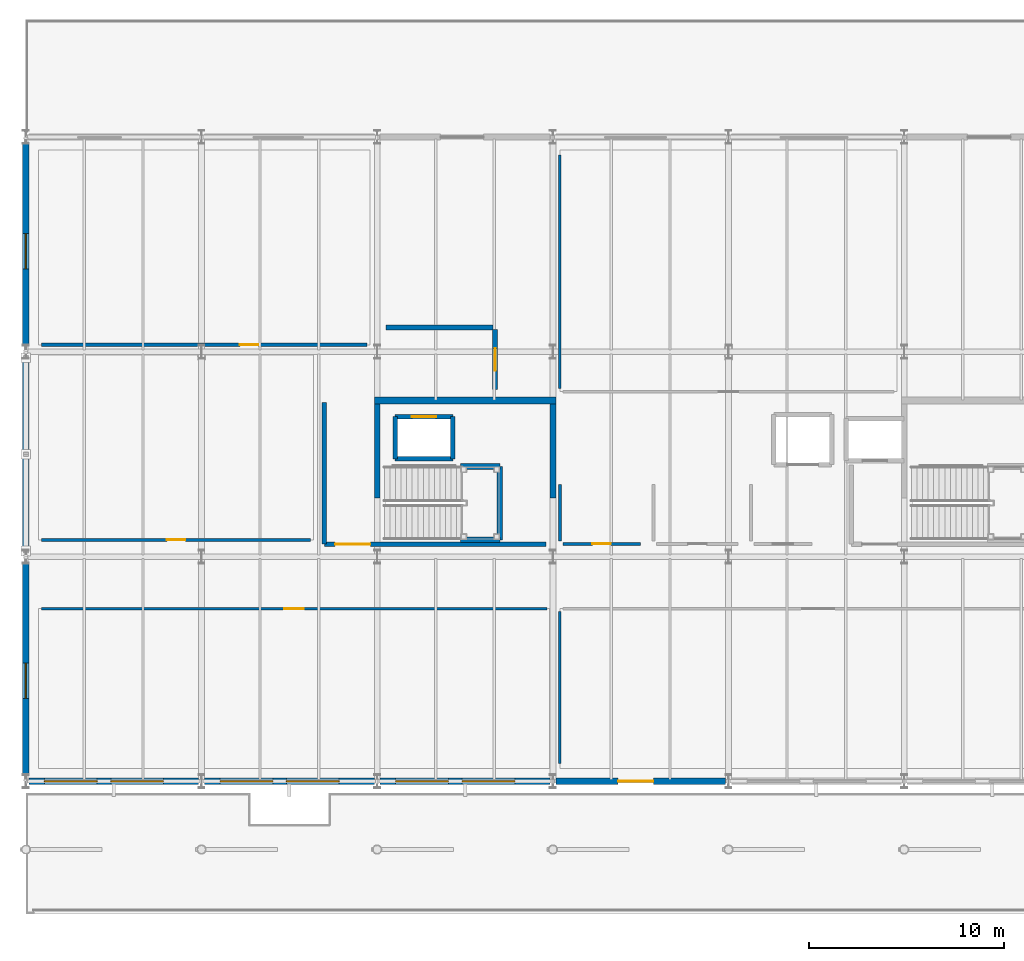
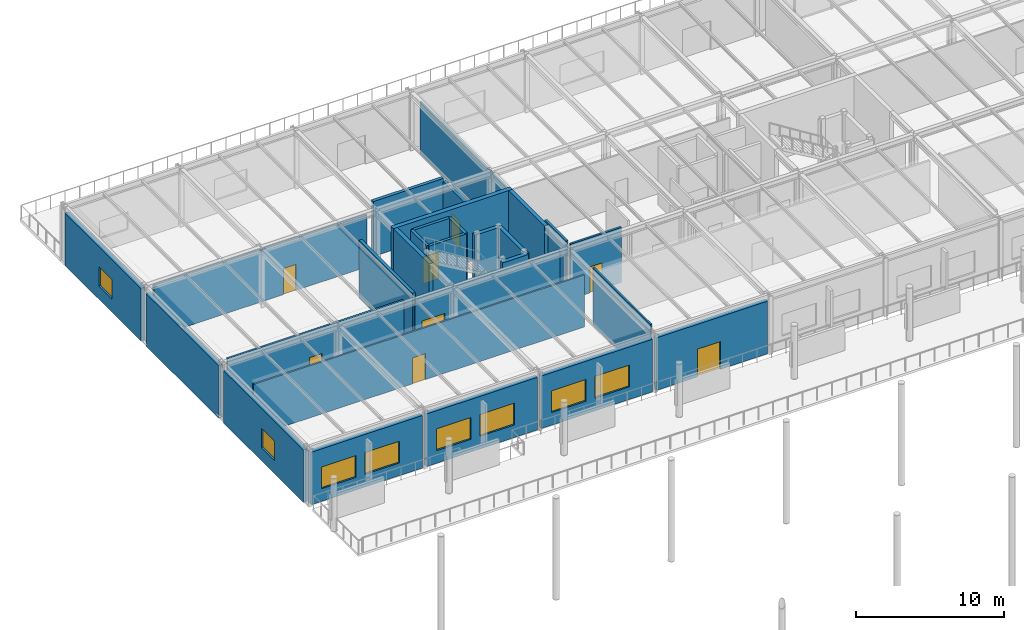
# One storey, part 84 of 143: 28 walls, 8 doors, 8 windows, 16 openings.
"""IFC4 building model written with IfcOpenShell, lengths in metres."""

from ifc_helpers import new_model, si_unit, direction, frame, frame_2d, origin, place, context, subcontext, project, spatial, rectangle, extrude, material, layer, layer_set, type_object, element, fill, save


model = new_model("IFC4")

# Units and contexts
model_context = context("Model", 3, precision=1e-05, world=origin(), true_north=direction((0.0, 1.0)))
body_context = subcontext(model_context, "Body", "Model", "MODEL_VIEW")
ifc_project = project(units=[si_unit("LENGTHUNIT", "METRE"), si_unit("AREAUNIT", "SQUARE_METRE"), si_unit("VOLUMEUNIT", "CUBIC_METRE"), si_unit("PLANEANGLEUNIT", "RADIAN"), si_unit("MASSUNIT", "GRAM", prefix="KILO")], contexts=[model_context])

# Site, building, storey
site_placement = place(None, origin())
site = spatial("IfcSite", under=ifc_project, at=site_placement, CompositionType="ELEMENT")
building_placement = place(site_placement, origin())
building = spatial("IfcBuilding", under=site, at=building_placement, Name="Marlcrest Central Station", CompositionType="ELEMENT")
storey_placement = place(building_placement, frame((0.0, 0.0, 4.800048828125)))
storey = spatial("IfcBuildingStorey", under=building, at=storey_placement, Name="L01", CompositionType="ELEMENT", Elevation=4.800048828125)

# Wall, openings, windows
ifc_material_1 = material(Name="Concrete C40/50", Category="concrete")
ifc_layer_1 = layer(ifc_material_1, 0.320068359375, Name="EW-01")
ifc_layer_set_1 = layer_set([ifc_layer_1], Name="Concrete C40/50")
wall_type_1 = type_object("IfcWallType", Name="EW-01", PredefinedType="SOLIDWALL", material=ifc_layer_set_1)
wall_1_placement = place(storey_placement, frame((8.85009765625, 99.0, 0.0), z_axis=(0.0, 0.0, 1.0), x_axis=(-1.0, 0.0, 0.0)))
wall_1 = element("IfcWall", 1, at=wall_1_placement, inside=storey, type_object=wall_type_1, Name="ewall-L01-0111", PredefinedType="SOLIDWALL", context=body_context, shape_type="SweptSolid", body=[
    extrude(rectangle(XDim=8.7001953125, YDim=0.320068359375, at=frame_2d((4.35009765625, 0.0))), origin(), (0.0, 0.0, 1.0), 4.349853515625),
])
opening_1_placement = place(wall_1_placement, frame((1.800048828125, 0.0, 1.050048828125)))
opening_1 = element("IfcOpeningElement", 2, at=opening_1_placement, cuts=wall_1, Name="Opening WN-06", PredefinedType="OPENING", context=body_context, shape_type="SweptSolid", body=[
    extrude(rectangle(XDim=2.699951171875, YDim=1.800048828125, at=frame_2d((1.35009765625, 0.89990234375))), frame((0.0, 0.169921875, 0.0), z_axis=(0.0, -1.0, 0.0), x_axis=(1.0, 0.0, 0.0)), (0.0, 0.0, 1.0), 0.340087890625),
])
opening_2_placement = place(wall_1_placement, frame((5.199951171875, 0.0, 1.050048828125)))
opening_2 = element("IfcOpeningElement", 3, at=opening_2_placement, cuts=wall_1, Name="Opening WN-06", PredefinedType="OPENING", context=body_context, shape_type="SweptSolid", body=[
    extrude(rectangle(XDim=2.699951171875, YDim=1.800048828125, at=frame_2d((1.35009765625, 0.89990234375))), frame((0.0, 0.169921875, 0.0), z_axis=(0.0, -1.0, 0.0), x_axis=(1.0, 0.0, 0.0)), (0.0, 0.0, 1.0), 0.340087890625),
])
ifc_material_2 = material(Name="Thermally broken bronze-anodised aluminium and laminated low-E glass", Category="aluminium")
window_type_1 = type_object("IfcWindowType", Name="WN-06", PartitioningType="SINGLE_PANEL", PredefinedType="WINDOW", material=ifc_material_2)
window_1_placement = place(opening_1_placement, origin())
window_1 = element("IfcWindow", 4, at=window_1_placement, inside=storey, type_object=window_type_1, Name="ewin-L01-0060", OverallHeight=1.800048828125, OverallWidth=2.699951171875, PartitioningType="SINGLE_PANEL", PredefinedType="WINDOW", context=body_context, shape_type="SweptSolid", body=[
    extrude(rectangle(XDim=2.699951171875, YDim=1.800048828125, at=frame_2d((1.35009765625, 0.89990234375))), frame((0.0, 0.030029296875, 0.0), z_axis=(0.0, -1.0, 0.0), x_axis=(1.0, 0.0, 0.0)), (0.0, 0.0, 1.0), 0.06005859375),
])
fill(opening_1, window_1)
window_2_placement = place(opening_2_placement, origin())
window_2 = element("IfcWindow", 5, at=window_2_placement, inside=storey, type_object=window_type_1, Name="ewin-L01-0061", OverallHeight=1.800048828125, OverallWidth=2.699951171875, PartitioningType="SINGLE_PANEL", PredefinedType="WINDOW", context=body_context, shape_type="SweptSolid", body=[
    extrude(rectangle(XDim=2.699951171875, YDim=1.800048828125, at=frame_2d((1.35009765625, 0.89990234375))), frame((0.0, 0.030029296875, 0.0), z_axis=(0.0, -1.0, 0.0), x_axis=(1.0, 0.0, 0.0)), (0.0, 0.0, 1.0), 0.06005859375),
])
fill(opening_2, window_2)

wall_2_placement = place(storey_placement, frame((17.85009765625, 99.0, 0.0), z_axis=(0.0, 0.0, 1.0), x_axis=(-1.0, 0.0, 0.0)))
wall_2 = element("IfcWall", 6, at=wall_2_placement, inside=storey, type_object=wall_type_1, Name="ewall-L01-0113", PredefinedType="SOLIDWALL", context=body_context, shape_type="SweptSolid", body=[
    extrude(rectangle(XDim=8.7001953125, YDim=0.320068359375, at=frame_2d((4.35009765625, 0.0))), origin(), (0.0, 0.0, 1.0), 4.349853515625),
])
opening_3_placement = place(wall_2_placement, frame((1.800048828125, 0.0, 1.050048828125)))
opening_3 = element("IfcOpeningElement", 7, at=opening_3_placement, cuts=wall_2, Name="Opening WN-06", PredefinedType="OPENING", context=body_context, shape_type="SweptSolid", body=[
    extrude(rectangle(XDim=2.699951171875, YDim=1.800048828125, at=frame_2d((1.35009765625, 0.89990234375))), frame((0.0, 0.169921875, 0.0), z_axis=(0.0, -1.0, 0.0), x_axis=(1.0, 0.0, 0.0)), (0.0, 0.0, 1.0), 0.340087890625),
])
opening_4_placement = place(wall_2_placement, frame((5.199951171875, 0.0, 1.050048828125)))
opening_4 = element("IfcOpeningElement", 8, at=opening_4_placement, cuts=wall_2, Name="Opening WN-06", PredefinedType="OPENING", context=body_context, shape_type="SweptSolid", body=[
    extrude(rectangle(XDim=2.699951171875, YDim=1.800048828125, at=frame_2d((1.35009765625, 0.89990234375))), frame((0.0, 0.169921875, 0.0), z_axis=(0.0, -1.0, 0.0), x_axis=(1.0, 0.0, 0.0)), (0.0, 0.0, 1.0), 0.340087890625),
])
window_3_placement = place(opening_3_placement, origin())
window_3 = element("IfcWindow", 9, at=window_3_placement, inside=storey, type_object=window_type_1, Name="ewin-L01-0063", OverallHeight=1.800048828125, OverallWidth=2.699951171875, PartitioningType="SINGLE_PANEL", PredefinedType="WINDOW", context=body_context, shape_type="SweptSolid", body=[
    extrude(rectangle(XDim=2.699951171875, YDim=1.800048828125, at=frame_2d((1.35009765625, 0.89990234375))), frame((0.0, 0.030029296875, 0.0), z_axis=(0.0, -1.0, 0.0), x_axis=(1.0, 0.0, 0.0)), (0.0, 0.0, 1.0), 0.06005859375),
])
fill(opening_3, window_3)
window_4_placement = place(opening_4_placement, origin())
window_4 = element("IfcWindow", 10, at=window_4_placement, inside=storey, type_object=window_type_1, Name="ewin-L01-0064", OverallHeight=1.800048828125, OverallWidth=2.699951171875, PartitioningType="SINGLE_PANEL", PredefinedType="WINDOW", context=body_context, shape_type="SweptSolid", body=[
    extrude(rectangle(XDim=2.699951171875, YDim=1.800048828125, at=frame_2d((1.35009765625, 0.89990234375))), frame((0.0, 0.030029296875, 0.0), z_axis=(0.0, -1.0, 0.0), x_axis=(1.0, 0.0, 0.0)), (0.0, 0.0, 1.0), 0.06005859375),
])
fill(opening_4, window_4)

wall_3_placement = place(storey_placement, frame((26.85009765625, 99.0, 0.0), z_axis=(0.0, 0.0, 1.0), x_axis=(-1.0, 0.0, 0.0)))
wall_3 = element("IfcWall", 11, at=wall_3_placement, inside=storey, type_object=wall_type_1, Name="ewall-L01-0115", PredefinedType="SOLIDWALL", context=body_context, shape_type="SweptSolid", body=[
    extrude(rectangle(XDim=8.7001953125, YDim=0.320068359375, at=frame_2d((4.35009765625, 0.0))), origin(), (0.0, 0.0, 1.0), 4.349853515625),
])
opening_5_placement = place(wall_3_placement, frame((1.800048828125, 0.0, 1.050048828125)))
opening_5 = element("IfcOpeningElement", 12, at=opening_5_placement, cuts=wall_3, Name="Opening WN-06", PredefinedType="OPENING", context=body_context, shape_type="SweptSolid", body=[
    extrude(rectangle(XDim=2.699951171875, YDim=1.800048828125, at=frame_2d((1.35009765625, 0.89990234375))), frame((0.0, 0.169921875, 0.0), z_axis=(0.0, -1.0, 0.0), x_axis=(1.0, 0.0, 0.0)), (0.0, 0.0, 1.0), 0.340087890625),
])
opening_6_placement = place(wall_3_placement, frame((5.199951171875, 0.0, 1.050048828125)))
opening_6 = element("IfcOpeningElement", 13, at=opening_6_placement, cuts=wall_3, Name="Opening WN-06", PredefinedType="OPENING", context=body_context, shape_type="SweptSolid", body=[
    extrude(rectangle(XDim=2.699951171875, YDim=1.800048828125, at=frame_2d((1.35009765625, 0.89990234375))), frame((0.0, 0.169921875, 0.0), z_axis=(0.0, -1.0, 0.0), x_axis=(1.0, 0.0, 0.0)), (0.0, 0.0, 1.0), 0.340087890625),
])
window_5_placement = place(opening_5_placement, origin())
window_5 = element("IfcWindow", 14, at=window_5_placement, inside=storey, type_object=window_type_1, Name="ewin-L01-0066", OverallHeight=1.800048828125, OverallWidth=2.699951171875, PartitioningType="SINGLE_PANEL", PredefinedType="WINDOW", context=body_context, shape_type="SweptSolid", body=[
    extrude(rectangle(XDim=2.699951171875, YDim=1.800048828125, at=frame_2d((1.35009765625, 0.89990234375))), frame((0.0, 0.030029296875, 0.0), z_axis=(0.0, -1.0, 0.0), x_axis=(1.0, 0.0, 0.0)), (0.0, 0.0, 1.0), 0.06005859375),
])
fill(opening_5, window_5)
window_6_placement = place(opening_6_placement, origin())
window_6 = element("IfcWindow", 15, at=window_6_placement, inside=storey, type_object=window_type_1, Name="ewin-L01-0067", OverallHeight=1.800048828125, OverallWidth=2.699951171875, PartitioningType="SINGLE_PANEL", PredefinedType="WINDOW", context=body_context, shape_type="SweptSolid", body=[
    extrude(rectangle(XDim=2.699951171875, YDim=1.800048828125, at=frame_2d((1.35009765625, 0.89990234375))), frame((0.0, 0.030029296875, 0.0), z_axis=(0.0, -1.0, 0.0), x_axis=(1.0, 0.0, 0.0)), (0.0, 0.0, 1.0), 0.06005859375),
])
fill(opening_6, window_6)

# Wall, opening, door
wall_4_placement = place(storey_placement, frame((35.85009765625, 99.0, 0.0), z_axis=(0.0, 0.0, 1.0), x_axis=(-1.0, 0.0, 0.0)))
wall_4 = element("IfcWall", 16, at=wall_4_placement, inside=storey, type_object=wall_type_1, Name="ewall-L01-0117", PredefinedType="SOLIDWALL", context=body_context, shape_type="SweptSolid", body=[
    extrude(rectangle(XDim=8.7001953125, YDim=0.320068359375, at=frame_2d((4.35009765625, 0.0))), origin(), (0.0, 0.0, 1.0), 4.349853515625),
])
opening_7_placement = place(wall_4_placement, frame((3.699951171875, 0.0, 0.0)))
opening_7 = element("IfcOpeningElement", 17, at=opening_7_placement, cuts=wall_4, Name="Opening ED-03", PredefinedType="OPENING", context=body_context, shape_type="SweptSolid", body=[
    extrude(rectangle(XDim=1.800048828125, YDim=2.300048828125, at=frame_2d((0.89990234375, 1.14990234375))), frame((0.0, 0.169921875, 0.0), z_axis=(0.0, -1.0, 0.0), x_axis=(1.0, 0.0, 0.0)), (0.0, 0.0, 1.0), 0.340087890625),
])
ifc_material_3 = material(Name="Thermally broken anodised aluminium and laminated safety glass", Category="aluminium")
door_type_1 = type_object("IfcDoorType", Name="ED-03", OperationType="DOUBLE_DOOR_SINGLE_SWING", PredefinedType="DOOR", material=ifc_material_3)
door_1_placement = place(opening_7_placement, origin())
door_1 = element("IfcDoor", 18, at=door_1_placement, inside=storey, type_object=door_type_1, Name="North-West Gallery Link Door 041", OperationType="DOUBLE_DOOR_SINGLE_SWING", OverallHeight=2.300048828125, OverallWidth=1.800048828125, PredefinedType="DOOR", context=body_context, shape_type="SweptSolid", body=[
    extrude(rectangle(XDim=1.800048828125, YDim=2.300048828125, at=frame_2d((0.89990234375, 1.14990234375))), frame((0.0, 0.02490234375, 0.0), z_axis=(0.0, -1.0, 0.0), x_axis=(1.0, 0.0, 0.0)), (0.0, 0.0, 1.0), 0.050048828125),
])
fill(opening_7, door_1)

# Wall, opening, window
wall_5_placement = place(storey_placement, frame((0.0, 99.35009765625, 0.0), z_axis=(0.0, 0.0, 1.0), x_axis=(0.0, 1.0, 0.0)))
wall_5 = element("IfcWall", 19, at=wall_5_placement, inside=storey, type_object=wall_type_1, Name="ewall-L01-0126", PredefinedType="SOLIDWALL", context=body_context, shape_type="SweptSolid", body=[
    extrude(rectangle(XDim=10.7998046875, YDim=0.320068359375, at=frame_2d((5.39990234375, 0.0))), origin(), (0.0, 0.0, 1.0), 4.349853515625),
])
opening_8_placement = place(wall_5_placement, frame((3.89990234375, 0.0, 1.10009765625)))
opening_8 = element("IfcOpeningElement", 20, at=opening_8_placement, cuts=wall_5, Name="Opening WN-01", PredefinedType="OPENING", context=body_context, shape_type="SweptSolid", body=[
    extrude(rectangle(XDim=1.800048828125, YDim=1.60009765625, at=frame_2d((0.89990234375, 0.800048828125))), frame((0.0, 0.169921875, 0.0), z_axis=(0.0, -1.0, 0.0), x_axis=(1.0, 0.0, 0.0)), (0.0, 0.0, 1.0), 0.340087890625),
])
window_type_2 = type_object("IfcWindowType", Name="WN-01", PartitioningType="SINGLE_PANEL", PredefinedType="WINDOW", material=ifc_material_2)
window_7_placement = place(opening_8_placement, origin())
window_7 = element("IfcWindow", 21, at=window_7_placement, inside=storey, type_object=window_type_2, Name="ewin-L01-0080", OverallHeight=1.60009765625, OverallWidth=1.800048828125, PartitioningType="SINGLE_PANEL", PredefinedType="WINDOW", context=body_context, shape_type="SweptSolid", body=[
    extrude(rectangle(XDim=1.800048828125, YDim=1.60009765625, at=frame_2d((0.89990234375, 0.800048828125))), frame((0.0, 0.030029296875, 0.0), z_axis=(0.0, -1.0, 0.0), x_axis=(1.0, 0.0, 0.0)), (0.0, 0.0, 1.0), 0.06005859375),
])
fill(opening_8, window_7)

# Wall
wall_6_placement = place(storey_placement, frame((0.0, 110.85009765625, 0.0), z_axis=(0.0, 0.0, 1.0), x_axis=(0.0, 1.0, 0.0)))
element("IfcWall", 22, at=wall_6_placement, inside=storey, type_object=wall_type_1, Name="ewall-L01-0127", PredefinedType="SOLIDWALL", context=body_context, shape_type="SweptSolid", body=[
    extrude(rectangle(XDim=9.7998046875, YDim=0.320068359375, at=frame_2d((4.89990234375, 0.0))), origin(), (0.0, 0.0, 1.0), 4.349853515625),
])

# Wall, opening, window
wall_7_placement = place(storey_placement, frame((0.0, 121.35009765625, 0.0), z_axis=(0.0, 0.0, 1.0), x_axis=(0.0, 1.0, 0.0)))
wall_7 = element("IfcWall", 23, at=wall_7_placement, inside=storey, type_object=wall_type_1, Name="ewall-L01-0128", PredefinedType="SOLIDWALL", context=body_context, shape_type="SweptSolid", body=[
    extrude(rectangle(XDim=10.2998046875, YDim=0.320068359375, at=frame_2d((5.14990234375, 0.0))), origin(), (0.0, 0.0, 1.0), 4.349853515625),
])
opening_9_placement = place(wall_7_placement, frame((3.89990234375, 0.0, 1.10009765625)))
opening_9 = element("IfcOpeningElement", 24, at=opening_9_placement, cuts=wall_7, Name="Opening WN-01", PredefinedType="OPENING", context=body_context, shape_type="SweptSolid", body=[
    extrude(rectangle(XDim=1.800048828125, YDim=1.60009765625, at=frame_2d((0.89990234375, 0.800048828125))), frame((0.0, 0.169921875, 0.0), z_axis=(0.0, -1.0, 0.0), x_axis=(1.0, 0.0, 0.0)), (0.0, 0.0, 1.0), 0.340087890625),
])
window_8_placement = place(opening_9_placement, origin())
window_8 = element("IfcWindow", 25, at=window_8_placement, inside=storey, type_object=window_type_2, Name="ewin-L01-0081", OverallHeight=1.60009765625, OverallWidth=1.800048828125, PartitioningType="SINGLE_PANEL", PredefinedType="WINDOW", context=body_context, shape_type="SweptSolid", body=[
    extrude(rectangle(XDim=1.800048828125, YDim=1.60009765625, at=frame_2d((0.89990234375, 0.800048828125))), frame((0.0, 0.030029296875, 0.0), z_axis=(0.0, -1.0, 0.0), x_axis=(1.0, 0.0, 0.0)), (0.0, 0.0, 1.0), 0.06005859375),
])
fill(opening_9, window_8)

# Wall, opening, door
ifc_material_4 = material(Name="Acoustic steel-stud gypsum board partition", Category="steel")
ifc_layer_2 = layer(ifc_material_4, 0.1201171875, Name="PT-01")
ifc_layer_set_2 = layer_set([ifc_layer_2], Name="Acoustic steel-stud gypsum board partition")
wall_type_2 = type_object("IfcWallType", Name="PT-01", PredefinedType="PARTITIONING", material=ifc_layer_set_2)
wall_8_placement = place(storey_placement, frame((0.81005859375, 107.840087890625, 0.0), z_axis=(0.0, 0.0, 1.0), x_axis=(1.0, 0.0, 0.0)))
wall_8 = element("IfcWall", 26, at=wall_8_placement, inside=storey, type_object=wall_type_2, Name="iwall-L01-00094", PredefinedType="PARTITIONING", context=body_context, shape_type="SweptSolid", body=[
    extrude(rectangle(XDim=25.8798828125, YDim=0.1201171875, at=frame_2d((12.93994140625, 0.0))), origin(), (0.0, 0.0, 1.0), 4.300048828125),
])
opening_10_placement = place(wall_8_placement, frame((12.43994140625, 0.0, 0.0)))
opening_10 = element("IfcOpeningElement", 27, at=opening_10_placement, cuts=wall_8, Name="Opening ID-02", PredefinedType="OPENING", context=body_context, shape_type="SweptSolid", body=[
    extrude(rectangle(XDim=1.0, YDim=2.14990234375, at=frame_2d((0.5, 1.074951171875))), frame((0.0, 0.070068359375, 0.0), z_axis=(0.0, -1.0, 0.0), x_axis=(1.0, 0.0, 0.0)), (0.0, 0.0, 1.0), 0.14013671875),
])
ifc_material_5 = material(Name="Solid-core hardwood office door", Category="wood")
door_type_2 = type_object("IfcDoorType", Name="ID-02", OperationType="NOTDEFINED", PredefinedType="DOOR", material=ifc_material_5)
door_2_placement = place(opening_10_placement, origin())
door_2 = element("IfcDoor", 28, at=door_2_placement, inside=storey, type_object=door_type_2, Name="L01-V5B 0056", OperationType="SINGLE_SWING_RIGHT", OverallHeight=2.14990234375, OverallWidth=1.0, PredefinedType="DOOR", context=body_context, shape_type="SweptSolid", body=[
    extrude(rectangle(XDim=1.0, YDim=2.14990234375, at=frame_2d((0.5, 1.074951171875))), frame((0.0, 0.02490234375, 0.0), z_axis=(0.0, -1.0, 0.0), x_axis=(1.0, 0.0, 0.0)), (0.0, 0.0, 1.0), 0.050048828125),
])
fill(opening_10, door_2)

# Walls
wall_9_placement = place(storey_placement, frame((27.360107421875, 119.110107421875, 0.0), z_axis=(0.0, 0.0, 1.0), x_axis=(0.0, 1.0, 0.0)))
element("IfcWall", 29, at=wall_9_placement, inside=storey, type_object=wall_type_2, Name="iwall-L01-00102", PredefinedType="PARTITIONING", context=body_context, shape_type="SweptSolid", body=[
    extrude(rectangle(XDim=11.97998046875, YDim=0.1201171875, at=frame_2d((5.989990234375, 0.0))), origin(), (0.0, 0.0, 1.0), 4.300048828125),
])
ifc_material_6 = material(Name="Acoustic double-stud partition")
ifc_layer_3 = layer(ifc_material_6, 0.139892578125, Name="PT-02")
ifc_layer_set_3 = layer_set([ifc_layer_3], Name="Acoustic double-stud partition")
wall_type_3 = type_object("IfcWallType", Name="PT-02", PredefinedType="PARTITIONING", material=ifc_layer_set_3)
wall_10_placement = place(storey_placement, frame((27.360107421875, 99.909912109375, 0.0), z_axis=(0.0, 0.0, 1.0), x_axis=(0.0, 1.0, 0.0)))
element("IfcWall", 30, at=wall_10_placement, inside=storey, type_object=wall_type_3, Name="iwall-L01-00096", PredefinedType="PARTITIONING", context=body_context, shape_type="SweptSolid", body=[
    extrude(rectangle(XDim=7.780029296875, YDim=0.139892578125, at=frame_2d((3.89013671875, 0.0))), origin(), (0.0, 0.0, 1.0), 4.75),
])

# Wall, opening, door
ifc_material_7 = material(Name="Moisture-resistant tiled sanitary partition")
ifc_layer_4 = layer(ifc_material_7, 0.159912109375, Name="PT-03")
ifc_layer_set_4 = layer_set([ifc_layer_4], Name="Moisture-resistant tiled sanitary partition")
wall_type_4 = type_object("IfcWallType", Name="PT-03", PredefinedType="PARTITIONING", material=ifc_layer_set_4)
wall_11_placement = place(storey_placement, frame((14.590087890625, 111.360107421875, 0.0), z_axis=(0.0, 0.0, 1.0), x_axis=(-1.0, 0.0, 0.0)))
wall_11 = element("IfcWall", 31, at=wall_11_placement, inside=storey, type_object=wall_type_4, Name="iwall-L01-00099", PredefinedType="PARTITIONING", context=body_context, shape_type="SweptSolid", body=[
    extrude(rectangle(XDim=13.780029296875, YDim=0.159912109375, at=frame_2d((6.89013671875, 0.0))), origin(), (0.0, 0.0, 1.0), 4.300048828125),
])
opening_11_placement = place(wall_11_placement, frame((6.4150390625, 0.0, 0.0)))
opening_11 = element("IfcOpeningElement", 32, at=opening_11_placement, cuts=wall_11, Name="Opening ID-01", PredefinedType="OPENING", context=body_context, shape_type="SweptSolid", body=[
    extrude(rectangle(XDim=0.949951171875, YDim=2.14990234375, at=frame_2d((0.47509765625, 1.074951171875))), frame((0.0, 0.08984375, 0.0), z_axis=(0.0, -1.0, 0.0), x_axis=(1.0, 0.0, 0.0)), (0.0, 0.0, 1.0), 0.179931640625),
])
ifc_material_8 = material(Name="Solid-core hardwood acoustic door", Category="wood")
door_type_3 = type_object("IfcDoorType", Name="ID-01", OperationType="NOTDEFINED", PredefinedType="DOOR", material=ifc_material_8)
door_3_placement = place(opening_11_placement, origin())
door_3 = element("IfcDoor", 33, at=door_3_placement, inside=storey, type_object=door_type_3, Name="L01-V5F 0059", OperationType="SINGLE_SWING_RIGHT", OverallHeight=2.14990234375, OverallWidth=0.949951171875, PredefinedType="DOOR", context=body_context, shape_type="SweptSolid", body=[
    extrude(rectangle(XDim=0.949951171875, YDim=2.14990234375, at=frame_2d((0.47509765625, 1.074951171875))), frame((0.0, 0.02490234375, 0.0), z_axis=(0.0, -1.0, 0.0), x_axis=(1.0, 0.0, 0.0)), (0.0, 0.0, 1.0), 0.050048828125),
])
fill(opening_11, door_3)

wall_12_placement = place(storey_placement, frame((17.489990234375, 121.360107421875, 0.0), z_axis=(0.0, 0.0, 1.0), x_axis=(-1.0, 0.0, 0.0)))
wall_12 = element("IfcWall", 34, at=wall_12_placement, inside=storey, type_object=wall_type_4, Name="iwall-L01-00100", PredefinedType="PARTITIONING", context=body_context, shape_type="SweptSolid", body=[
    extrude(rectangle(XDim=16.679931640625, YDim=0.159912109375, at=frame_2d((8.33984375, 0.0))), origin(), (0.0, 0.0, 1.0), 4.300048828125),
])
opening_12_placement = place(wall_12_placement, frame((5.572021484375, 0.0, 0.0)))
opening_12 = element("IfcOpeningElement", 35, at=opening_12_placement, cuts=wall_12, Name="Opening ID-01", PredefinedType="OPENING", context=body_context, shape_type="SweptSolid", body=[
    extrude(rectangle(XDim=0.949951171875, YDim=2.14990234375, at=frame_2d((0.47509765625, 1.074951171875))), frame((0.0, 0.08984375, 0.0), z_axis=(0.0, -1.0, 0.0), x_axis=(1.0, 0.0, 0.0)), (0.0, 0.0, 1.0), 0.179931640625),
])
door_4_placement = place(opening_12_placement, origin())
door_4 = element("IfcDoor", 36, at=door_4_placement, inside=storey, type_object=door_type_3, Name="L01-V5G 0060", OperationType="SINGLE_SWING_LEFT", OverallHeight=2.14990234375, OverallWidth=0.949951171875, PredefinedType="DOOR", context=body_context, shape_type="SweptSolid", body=[
    extrude(rectangle(XDim=0.949951171875, YDim=2.14990234375, at=frame_2d((0.47509765625, 1.074951171875))), frame((0.0, 0.02490234375, 0.0), z_axis=(0.0, -1.0, 0.0), x_axis=(1.0, 0.0, 0.0)), (0.0, 0.0, 1.0), 0.050048828125),
])
fill(opening_12, door_4)

wall_13_placement = place(storey_placement, frame((31.489990234375, 111.159912109375, 0.0), z_axis=(0.0, 0.0, 1.0), x_axis=(-1.0, 0.0, 0.0)))
wall_13 = element("IfcWall", 37, at=wall_13_placement, inside=storey, type_object=wall_type_4, Name="iwall-L01-00105", PredefinedType="PARTITIONING", context=body_context, shape_type="SweptSolid", body=[
    extrude(rectangle(XDim=3.97998046875, YDim=0.159912109375, at=frame_2d((1.989990234375, 0.0))), origin(), (0.0, 0.0, 1.0), 4.550048828125),
])
opening_13_placement = place(wall_13_placement, frame((1.514892578125, 0.0, 0.0)))
opening_13 = element("IfcOpeningElement", 38, at=opening_13_placement, cuts=wall_13, Name="Opening ID-01", PredefinedType="OPENING", context=body_context, shape_type="SweptSolid", body=[
    extrude(rectangle(XDim=0.949951171875, YDim=2.14990234375, at=frame_2d((0.47509765625, 1.074951171875))), frame((0.0, 0.08984375, 0.0), z_axis=(0.0, -1.0, 0.0), x_axis=(1.0, 0.0, 0.0)), (0.0, 0.0, 1.0), 0.179931640625),
])
door_5_placement = place(opening_13_placement, origin())
door_5 = element("IfcDoor", 39, at=door_5_placement, inside=storey, type_object=door_type_3, Name="L01-WC-W1 0063", OperationType="SINGLE_SWING_RIGHT", OverallHeight=2.14990234375, OverallWidth=0.949951171875, PredefinedType="DOOR", context=body_context, shape_type="SweptSolid", body=[
    extrude(rectangle(XDim=0.949951171875, YDim=2.14990234375, at=frame_2d((0.47509765625, 1.074951171875))), frame((0.0, 0.02490234375, 0.0), z_axis=(0.0, -1.0, 0.0), x_axis=(1.0, 0.0, 0.0)), (0.0, 0.0, 1.0), 0.050048828125),
])
fill(opening_13, door_5)

# Wall
wall_14_placement = place(storey_placement, frame((27.360107421875, 111.31005859375, 0.0), z_axis=(0.0, 0.0, 1.0), x_axis=(0.0, 1.0, 0.0)))
element("IfcWall", 40, at=wall_14_placement, inside=storey, type_object=wall_type_4, Name="iwall-L01-00106", PredefinedType="PARTITIONING", context=body_context, shape_type="SweptSolid", body=[
    extrude(rectangle(XDim=2.8798828125, YDim=0.159912109375, at=frame_2d((1.43994140625, 0.0))), origin(), (0.0, 0.0, 1.0), 4.75),
])

# Wall, opening, door
ifc_layer_5 = layer(ifc_material_1, 0.22998046875, Name="SHW-01")
ifc_layer_set_5 = layer_set([ifc_layer_5], Name="Concrete C40/50")
wall_type_5 = type_object("IfcWallType", Name="SHW-01", PredefinedType="SOLIDWALL", material=ifc_layer_set_5)
wall_15_placement = place(storey_placement, frame((18.919921875, 117.679931640625, 0.0), z_axis=(0.0, 0.0, 1.0), x_axis=(1.0, 0.0, 0.0)))
wall_15 = element("IfcWall", 41, at=wall_15_placement, inside=storey, type_object=wall_type_5, Name="iwall-L01-00351", PredefinedType="SOLIDWALL", context=body_context, shape_type="SweptSolid", body=[
    extrude(rectangle(XDim=2.9599609375, YDim=0.22998046875, at=frame_2d((1.47998046875, 0.0))), origin(), (0.0, 0.0, 1.0), 4.760009765625),
])
opening_14_placement = place(wall_15_placement, frame((0.85498046875, 0.0, 0.0)))
opening_14 = element("IfcOpeningElement", 42, at=opening_14_placement, cuts=wall_15, Name="Opening LD-02", PredefinedType="OPENING", context=body_context, shape_type="SweptSolid", body=[
    extrude(rectangle(XDim=1.25, YDim=2.199951171875, at=frame_2d((0.625, 1.10009765625))), frame((0.0, 0.125, 0.0), z_axis=(0.0, -1.0, 0.0), x_axis=(1.0, 0.0, 0.0)), (0.0, 0.0, 1.0), 0.25),
])
ifc_material_9 = material(Name="Stainless steel stretcher/firefighting lift landing door", Category="steel")
door_type_4 = type_object("IfcDoorType", Name="LD-02", OperationType="DOUBLE_DOOR_SLIDING", PredefinedType="DOOR", material=ifc_material_9)
door_6_placement = place(opening_14_placement, origin())
door_6 = element("IfcDoor", 43, at=door_6_placement, inside=storey, type_object=door_type_4, Name="LF-FF1 Lift Landing Door 0158", OperationType="DOUBLE_DOOR_SLIDING", OverallHeight=2.199951171875, OverallWidth=1.25, PredefinedType="DOOR", context=body_context, shape_type="SweptSolid", body=[
    extrude(rectangle(XDim=1.25, YDim=2.199951171875, at=frame_2d((0.625, 1.10009765625))), frame((0.0, 0.02490234375, 0.0), z_axis=(0.0, -1.0, 0.0), x_axis=(1.0, 0.0, 0.0)), (0.0, 0.0, 1.0), 0.050048828125),
])
fill(opening_14, door_6)

# Walls
wall_16_placement = place(storey_placement, frame((21.8798828125, 115.52001953125, 0.0), z_axis=(0.0, 0.0, 1.0), x_axis=(-1.0, 0.0, 0.0)))
element("IfcWall", 44, at=wall_16_placement, inside=storey, type_object=wall_type_5, Name="iwall-L01-00352", PredefinedType="SOLIDWALL", context=body_context, shape_type="SweptSolid", body=[
    extrude(rectangle(XDim=2.9599609375, YDim=0.22998046875, at=frame_2d((1.47998046875, 0.0))), origin(), (0.0, 0.0, 1.0), 4.760009765625),
])
for number, where, z_axis, x_axis, name in (
    (45, (18.919921875, 115.52001953125, 0.0), (0.0, 0.0, 1.0), (0.0, 1.0, 0.0), "iwall-L01-00353"),
    (46, (21.8798828125, 117.679931640625, 0.0), (0.0, 0.0, 1.0), (0.0, -1.0, 0.0), "iwall-L01-00354"),
):
    element("IfcWall", number, at=place(storey_placement, frame(where, z_axis=z_axis, x_axis=x_axis)), inside=storey, type_object=wall_type_5, Name=name, PredefinedType="SOLIDWALL", context=body_context, shape_type="SweptSolid", body=[
        extrude(rectangle(XDim=2.159912109375, YDim=0.22998046875, at=frame_2d((1.080078125, 0.0))), origin(), (0.0, 0.0, 1.0), 4.760009765625),
    ])

# Wall, opening, door
wall_17_placement = place(storey_placement, frame((15.300048828125, 111.14990234375, 0.0), z_axis=(0.0, 0.0, 1.0), x_axis=(1.0, 0.0, 0.0)))
wall_17 = element("IfcWall", 47, at=wall_17_placement, inside=storey, type_object=wall_type_5, Name="iwall-L01-00433", PredefinedType="SOLIDWALL", context=body_context, shape_type="SweptSolid", body=[
    extrude(rectangle(XDim=11.349853515625, YDim=0.22998046875, at=frame_2d((5.6748046875, 0.0))), origin(), (0.0, 0.0, 1.0), 4.300048828125),
])
opening_15_placement = place(wall_17_placement, frame((0.550048828125, 0.0, 0.0)))
opening_15 = element("IfcOpeningElement", 48, at=opening_15_placement, cuts=wall_17, Name="Opening FD-90D", PredefinedType="OPENING", context=body_context, shape_type="SweptSolid", body=[
    extrude(rectangle(XDim=1.800048828125, YDim=2.300048828125, at=frame_2d((0.89990234375, 1.14990234375))), frame((0.0, 0.125, 0.0), z_axis=(0.0, -1.0, 0.0), x_axis=(1.0, 0.0, 0.0)), (0.0, 0.0, 1.0), 0.25),
])
ifc_material_10 = material(Name="90-minute double exit-stair fire door")
door_type_5 = type_object("IfcDoorType", Name="FD-90D", OperationType="DOUBLE_DOOR_SINGLE_SWING", PredefinedType="DOOR", material=ifc_material_10)
door_7_placement = place(opening_15_placement, origin())
door_7 = element("IfcDoor", 49, at=door_7_placement, inside=storey, type_object=door_type_5, Name="ST-W11 Stair Door 0186", OperationType="DOUBLE_DOOR_SINGLE_SWING", OverallHeight=2.300048828125, OverallWidth=1.800048828125, PredefinedType="DOOR", context=body_context, shape_type="SweptSolid", body=[
    extrude(rectangle(XDim=1.800048828125, YDim=2.300048828125, at=frame_2d((0.89990234375, 1.14990234375))), frame((0.0, 0.02490234375, 0.0), z_axis=(0.0, -1.0, 0.0), x_axis=(1.0, 0.0, 0.0)), (0.0, 0.0, 1.0), 0.050048828125),
])
fill(opening_15, door_7)

# Wall
wall_18_placement = place(storey_placement, frame((15.300048828125, 111.14990234375, 0.0), z_axis=(0.0, 0.0, 1.0), x_axis=(0.0, 1.0, 0.0)))
element("IfcWall", 50, at=wall_18_placement, inside=storey, type_object=wall_type_5, Name="iwall-L01-00434", PredefinedType="SOLIDWALL", context=body_context, shape_type="SweptSolid", body=[
    extrude(rectangle(XDim=7.25, YDim=0.22998046875, at=frame_2d((3.625, 0.0))), origin(), (0.0, 0.0, 1.0), 4.75),
])

# Wall, opening, door
ifc_layer_6 = layer(ifc_material_1, 0.25, Name="SHW-02")
ifc_layer_set_6 = layer_set([ifc_layer_6], Name="Concrete C40/50")
wall_type_6 = type_object("IfcWallType", Name="SHW-02", PredefinedType="SOLIDWALL", material=ifc_layer_set_6)
wall_19_placement = place(storey_placement, frame((24.0400390625, 119.06005859375, 0.0), z_axis=(0.0, 0.0, 1.0), x_axis=(0.0, 1.0, 0.0)))
wall_19 = element("IfcWall", 51, at=wall_19_placement, inside=storey, type_object=wall_type_6, Name="iwall-L01-00103", PredefinedType="SOLIDWALL", context=body_context, shape_type="SweptSolid", body=[
    extrude(rectangle(XDim=3.079833984375, YDim=0.25, at=frame_2d((1.5400390625, 0.0))), origin(), (0.0, 0.0, 1.0), 4.300048828125),
])
opening_16_placement = place(wall_19_placement, frame((0.965087890625, 0.0, 0.0)))
opening_16 = element("IfcOpeningElement", 52, at=opening_16_placement, cuts=wall_19, Name="Opening FD-90", PredefinedType="OPENING", context=body_context, shape_type="SweptSolid", body=[
    extrude(rectangle(XDim=1.14990234375, YDim=2.199951171875, at=frame_2d((0.574951171875, 1.10009765625))), frame((0.0, 0.135009765625, 0.0), z_axis=(0.0, -1.0, 0.0), x_axis=(1.0, 0.0, 0.0)), (0.0, 0.0, 1.0), 0.27001953125),
])
ifc_material_11 = material(Name="90-minute stair and firefighting-lobby fire door")
door_type_6 = type_object("IfcDoorType", Name="FD-90", OperationType="NOTDEFINED", PredefinedType="DOOR", material=ifc_material_11)
door_8_placement = place(opening_16_placement, origin())
door_8 = element("IfcDoor", 53, at=door_8_placement, inside=storey, type_object=door_type_6, Name="L01-FFL 0062", OperationType="SINGLE_SWING_LEFT", OverallHeight=2.199951171875, OverallWidth=1.14990234375, PredefinedType="DOOR", context=body_context, shape_type="SweptSolid", body=[
    extrude(rectangle(XDim=1.14990234375, YDim=2.199951171875, at=frame_2d((0.574951171875, 1.10009765625))), frame((0.0, 0.02490234375, 0.0), z_axis=(0.0, -1.0, 0.0), x_axis=(1.0, 0.0, 0.0)), (0.0, 0.0, 1.0), 0.050048828125),
])
fill(opening_16, door_8)

# Walls
wall_20_placement = place(storey_placement, frame((18.4599609375, 122.239990234375, 0.0), z_axis=(0.0, 0.0, 1.0), x_axis=(1.0, 0.0, 0.0)))
element("IfcWall", 54, at=wall_20_placement, inside=storey, type_object=wall_type_6, Name="iwall-L01-00104", PredefinedType="SOLIDWALL", context=body_context, shape_type="SweptSolid", body=[
    extrude(rectangle(XDim=5.47998046875, YDim=0.25, at=frame_2d((2.739990234375, 0.0))), origin(), (0.0, 0.0, 1.0), 4.550048828125),
])
ifc_material_12 = material(Name="Concrete C50/60", Category="concrete")
ifc_layer_7 = layer(ifc_material_12, 0.35009765625, Name="SW-01")
ifc_layer_set_7 = layer_set([ifc_layer_7], Name="Concrete C50/60")
wall_type_7 = type_object("IfcWallType", Name="SW-01", PredefinedType="SHEAR", material=ifc_layer_set_7)
wall_21_placement = place(storey_placement, frame((17.85009765625, 118.5, 0.0), z_axis=(0.0, 0.0, 1.0), x_axis=(1.0, 0.0, 0.0)))
element("IfcWall", 55, at=wall_21_placement, inside=storey, type_object=wall_type_7, Name="swall-L01-0017", PredefinedType="SHEAR", context=body_context, shape_type="SweptSolid", body=[
    extrude(rectangle(XDim=9.2998046875, YDim=0.35009765625, at=frame_2d((4.64990234375, 0.0))), origin(), (0.0, 0.0, 1.0), 4.820068359375),
])
ifc_layer_8 = layer(ifc_material_12, 0.300048828125, Name="SW-02")
ifc_layer_set_8 = layer_set([ifc_layer_8], Name="Concrete C50/60")
wall_type_8 = type_object("IfcWallType", Name="SW-02", PredefinedType="SHEAR", material=ifc_layer_set_8)
for number, where, z_axis, x_axis, name in (
    (56, (18.0, 113.5, 0.0), (0.0, 0.0, 1.0), (0.0, 1.0, 0.0), "swall-L01-0018"),
    (57, (27.0, 113.5, 0.0), (0.0, 0.0, 1.0), (0.0, 1.0, 0.0), "swall-L01-0019"),
):
    element("IfcWall", number, at=place(storey_placement, frame(where, z_axis=z_axis, x_axis=x_axis)), inside=storey, type_object=wall_type_8, Name=name, PredefinedType="SHEAR", context=body_context, shape_type="SweptSolid", body=[
        extrude(rectangle(XDim=4.824951171875, YDim=0.300048828125, at=frame_2d((2.41259765625, 0.0))), origin(), (0.0, 0.0, 1.0), 4.820068359375),
    ])
wall_22_placement = place(storey_placement, frame((22.280029296875, 111.3701171875, 0.0), z_axis=(0.0, 0.0, 1.0), x_axis=(1.0, 0.0, 0.0)))
element("IfcWall", 58, at=wall_22_placement, inside=storey, type_object=wall_type_8, Name="htsw-0046-S", PredefinedType="SHEAR", context=body_context, shape_type="SweptSolid", body=[
    extrude(rectangle(XDim=2.0, YDim=0.300048828125, at=frame_2d((1.0, 0.0))), origin(), (0.0, 0.0, 1.0), 4.75),
])
wall_23_placement = place(storey_placement, frame((24.280029296875, 111.3701171875, 0.0), z_axis=(0.0, 0.0, 1.0), x_axis=(0.0, 1.0, 0.0)))
element("IfcWall", 59, at=wall_23_placement, inside=storey, type_object=wall_type_8, Name="htsw-0046-E", PredefinedType="SHEAR", context=body_context, shape_type="SweptSolid", body=[
    extrude(rectangle(XDim=3.759765625, YDim=0.300048828125, at=frame_2d((1.8798828125, 0.0))), origin(), (0.0, 0.0, 1.0), 4.75),
])
wall_24_placement = place(storey_placement, frame((24.280029296875, 115.1298828125, 0.0), z_axis=(0.0, 0.0, 1.0), x_axis=(-1.0, 0.0, 0.0)))
element("IfcWall", 60, at=wall_24_placement, inside=storey, type_object=wall_type_8, Name="htsw-0046-N", PredefinedType="SHEAR", context=body_context, shape_type="SweptSolid", body=[
    extrude(rectangle(XDim=2.0, YDim=0.300048828125, at=frame_2d((1.0, 0.0))), origin(), (0.0, 0.0, 1.0), 4.75),
])

save(model, "model.ifc")
